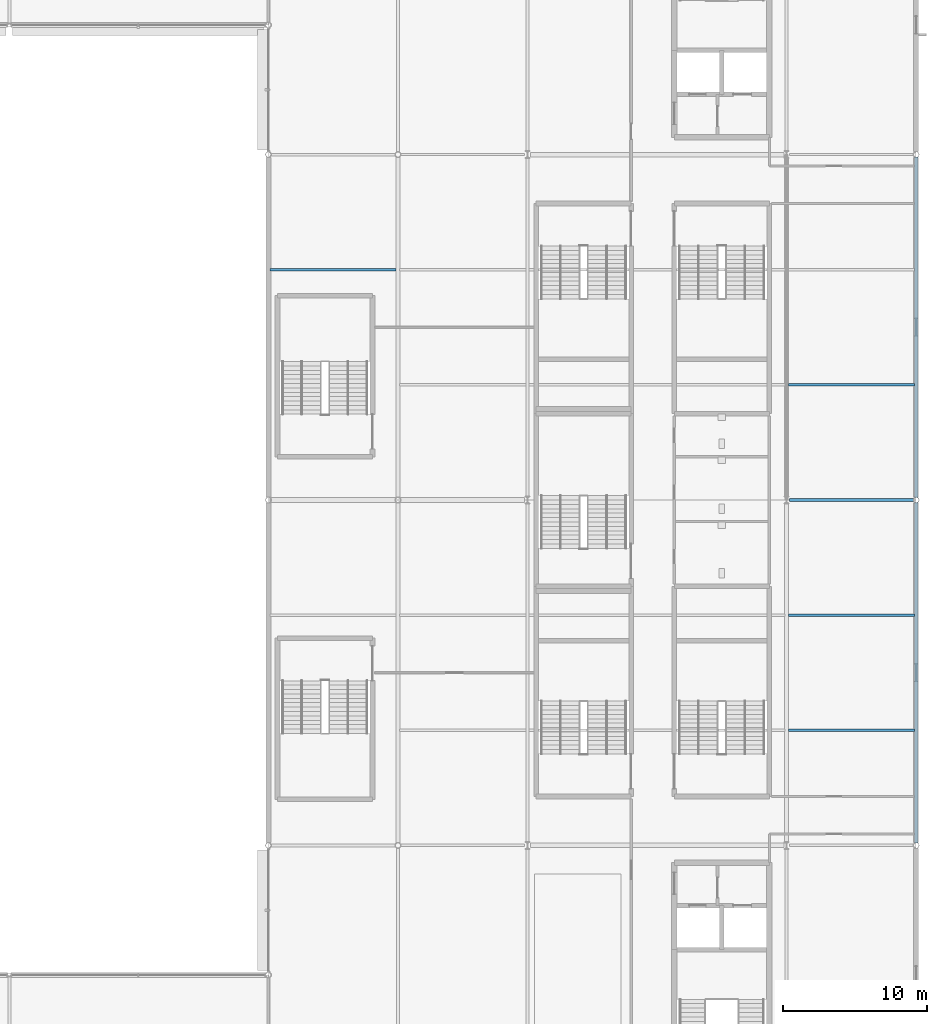
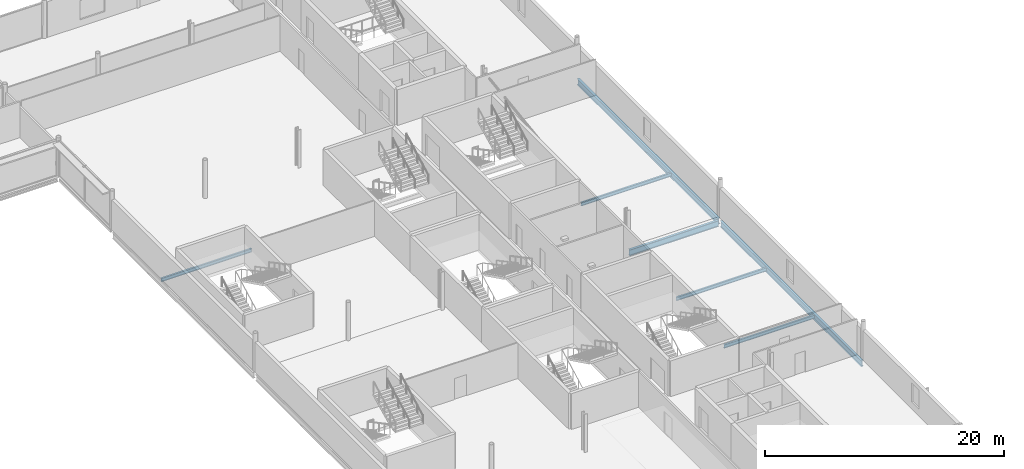
# One storey, part 45 of 96: 7 beams.
"""IFC4 building model written with IfcOpenShell, lengths in metres."""

from ifc_helpers import new_model, si_unit, direction, frame, origin, origin_2d, place, context, subcontext, project, spatial, i_section, extrude, material, material_profile, profile_set, type_object, element, save


model = new_model("IFC4")

# Units and contexts
model_context = context("Model", 3, precision=1e-05, world=origin(), true_north=direction((0.0, 1.0)))
body_context = subcontext(model_context, "Body", "Model", "MODEL_VIEW")
ifc_project = project(units=[si_unit("LENGTHUNIT", "METRE"), si_unit("AREAUNIT", "SQUARE_METRE"), si_unit("VOLUMEUNIT", "CUBIC_METRE"), si_unit("PLANEANGLEUNIT", "RADIAN"), si_unit("MASSUNIT", "GRAM", prefix="KILO")], contexts=[model_context])

# Site, building, storey
site_placement = place(None, origin())
site = spatial("IfcSite", under=ifc_project, at=site_placement, CompositionType="ELEMENT")
building_placement = place(site_placement, origin())
building = spatial("IfcBuilding", under=site, at=building_placement, Name="Kisiwana Market Hall", CompositionType="ELEMENT")
storey_placement = place(building_placement, frame((0.0, 0.0, 25.5)))
storey = spatial("IfcBuildingStorey", under=building, at=storey_placement, Name="L05", CompositionType="ELEMENT", Elevation=25.5)

# Beams
ifc_material_1 = material(Name="Steel S355", Category="steel")
ifc_material_profile_1 = material_profile(ifc_material_1, i_section(OverallWidth=0.22900390625, OverallDepth=0.6123046875, WebThickness=0.011962890625, FlangeThickness=0.01953125, at=origin_2d()), Name="UB 610x229x125")
ifc_profile_set_1 = profile_set([ifc_material_profile_1], Name="Steel S355")
beam_type_1 = type_object("IfcBeamType", Name="BM-GIRD-UB610H", PredefinedType="BEAM", material=ifc_profile_set_1)
for number, where, z_axis, x_axis, name in (
    (1, (198.0, 36.18017578125, -0.62109375), (0.0, 1.0, 0.0), (-1.0, 0.0, 0.0), "Floor beam B-1693"),
    (2, (198.0, 60.18017578125, -0.62109375), (0.0, 1.0, 0.0), (-1.0, 0.0, 0.0), "Floor beam B-1694"),
):
    element("IfcBeam", number, at=place(storey_placement, frame(where, z_axis=z_axis, x_axis=x_axis)), inside=storey, type_object=beam_type_1, Name=name, PredefinedType="BEAM", context=body_context, shape_type="SweptSolid", body=[
        extrude(i_section(OverallWidth=0.22900390625, OverallDepth=0.6123046875, WebThickness=0.011962890625, FlangeThickness=0.01953125, at=origin_2d()), origin(), (0.0, 0.0, 1.0), 23.6396484375),
    ])
beam_placement = place(storey_placement, frame((189.193359375, 60.0, -0.62109375), z_axis=(1.0, 0.0, 0.0), x_axis=(0.0, 1.0, 0.0)))
element("IfcBeam", 3, at=beam_placement, inside=storey, type_object=beam_type_1, Name="Primary girder B-1520", PredefinedType="BEAM", context=body_context, shape_type="SweptSolid", body=[
    extrude(i_section(OverallWidth=0.22900390625, OverallDepth=0.6123046875, WebThickness=0.011962890625, FlangeThickness=0.01953125, at=origin_2d()), origin(), (0.0, 0.0, 1.0), 8.624267578125),
])
ifc_material_2 = material(Name="Steel S355", Category="steel")
ifc_material_profile_2 = material_profile(ifc_material_2, i_section(OverallWidth=0.17138671875, OverallDepth=0.35498046875, WebThickness=0.00732421875, FlangeThickness=0.011474609375, at=origin_2d()), Name="UB 356x171x51")
ifc_profile_set_2 = profile_set([ifc_material_profile_2], Name="Steel S355")
beam_type_2 = type_object("IfcBeamType", Name="BM-JOIST-UB356", PredefinedType="JOIST", material=ifc_profile_set_2)
for number, where, z_axis, x_axis, name in (
    (4, (189.125732421875, 44.0, -0.492431640625), (1.0, 0.0, 0.0), (0.0, 1.0, 0.0), "Secondary floor joist B-1572"),
    (5, (189.125732421875, 52.0, -0.492431640625), (1.0, 0.0, 0.0), (0.0, 1.0, 0.0), "Secondary floor joist B-1580"),
    (6, (189.125732421875, 68.0, -0.492431640625), (1.0, 0.0, 0.0), (0.0, 1.0, 0.0), "Secondary floor joist B-1586"),
    (7, (153.113525390625, 76.0, -0.492431640625), (1.0, 0.0, 0.0), (0.0, 1.0, 0.0), "Secondary floor joist B-1591"),
):
    element("IfcBeam", number, at=place(storey_placement, frame(where, z_axis=z_axis, x_axis=x_axis)), inside=storey, type_object=beam_type_2, Name=name, PredefinedType="JOIST", context=body_context, shape_type="SweptSolid", body=[
        extrude(i_section(OverallWidth=0.17138671875, OverallDepth=0.35498046875, WebThickness=0.00732421875, FlangeThickness=0.011474609375, at=origin_2d()), origin(), (0.0, 0.0, 1.0), 8.7607421875),
    ])

save(model, "model.ifc")
